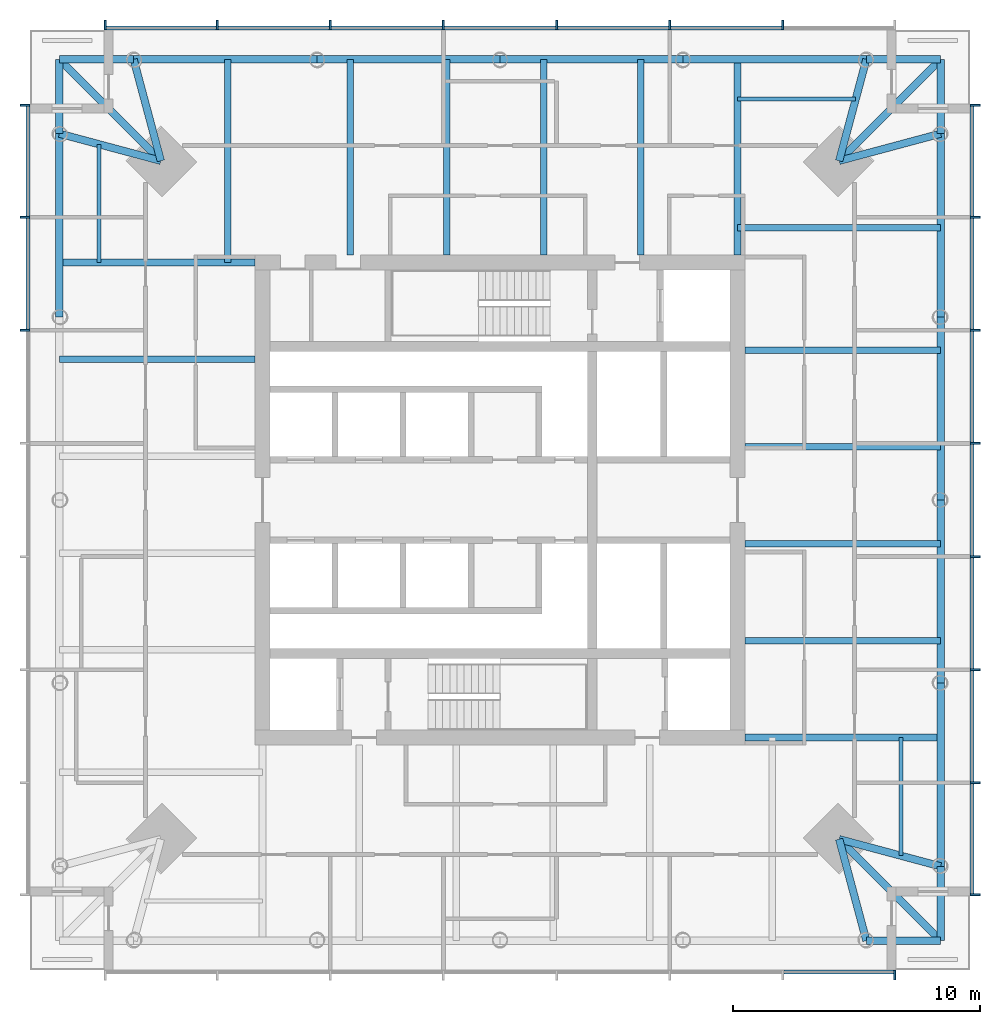
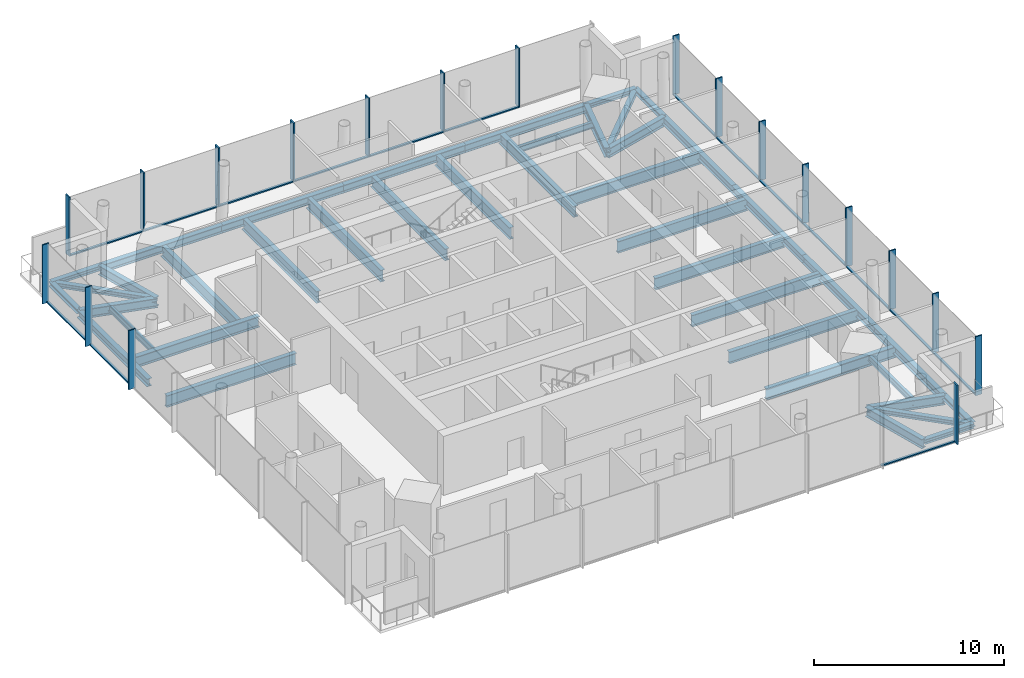
# One storey, part 2 of 7: 41 beams, 35 members, 4 elements without a shape of their own.
"""IFC4 building model written with IfcOpenShell, lengths in metres."""

from ifc_helpers import new_model, si_unit, direction, frame, origin, origin_2d, place, context, subcontext, project, spatial, rectangle, i_section, extrude, material, material_profile, profile_set, type_object, element, aggregate, save


model = new_model("IFC4")

# Units and contexts
model_context = context("Model", 3, precision=1e-05, world=origin(), true_north=direction((0.0, 1.0)))
body_context = subcontext(model_context, "Body", "Model", "MODEL_VIEW")
ifc_project = project(units=[si_unit("LENGTHUNIT", "METRE"), si_unit("AREAUNIT", "SQUARE_METRE"), si_unit("VOLUMEUNIT", "CUBIC_METRE"), si_unit("PLANEANGLEUNIT", "RADIAN"), si_unit("MASSUNIT", "GRAM", prefix="KILO")], contexts=[model_context])

# Site, building, storey
site_placement = place(None, origin())
site = spatial("IfcSite", under=ifc_project, at=site_placement, CompositionType="ELEMENT")
building_placement = place(site_placement, origin())
building = spatial("IfcBuilding", under=site, at=building_placement, Name="Ostroluk Exchange", CompositionType="ELEMENT")
storey_placement = place(building_placement, frame((0.0, 0.0, 214.800048828125)))
storey = spatial("IfcBuildingStorey", under=building, at=storey_placement, Name="L55", CompositionType="ELEMENT", Elevation=214.800048828125)

# Beams
ifc_material_1 = material(Name="Steel S355", Category="steel")
ifc_material_profile_1 = material_profile(ifc_material_1, i_section(OverallWidth=0.300048828125, OverallDepth=0.300048828125, WebThickness=0.010986328125, FlangeThickness=0.01904296875, FilletRadius=0.027099609375, at=origin_2d()), Name="HEB 300")
ifc_profile_set_1 = profile_set([ifc_material_profile_1], Name="Steel S355")
beam_type_1 = type_object("IfcBeamType", Name="Balcony beam HEB 300", PredefinedType="BEAM", material=ifc_profile_set_1)
for number, where, z_axis, x_axis, name in (
    (1, (62.80712890625, 60.80712890625, -0.330078125), (0.0, 1.0, 0.0), (-1.0, 0.0, 0.0), "T1 east balcony beam a"),
    (2, (59.80712890625, 63.80712890625, -0.330078125), (1.0, 0.0, 0.0), (0.0, 1.0, 0.0), "T1 east balcony beam b"),
):
    element("IfcBeam", number, at=place(storey_placement, frame(where, z_axis=z_axis, x_axis=x_axis)), inside=storey, type_object=beam_type_1, Name=name, PredefinedType="BEAM", context=body_context, shape_type="SweptSolid", body=[
        extrude(i_section(OverallWidth=0.300048828125, OverallDepth=0.300048828125, WebThickness=0.010986328125, FlangeThickness=0.01904296875, FilletRadius=0.027099609375, at=origin_2d()), origin(), (0.0, 0.0, 1.0), 3.0),
    ])
beam_1_placement = place(storey_placement, frame((58.70703125, 59.70703125, -0.330078125), z_axis=(0.707106781187, 0.707106781187, 0.0), x_axis=(-0.707106781187, 0.707106781187, 0.0)))
element("IfcBeam", 3, at=beam_1_placement, inside=storey, type_object=beam_type_1, Name="T1 east balcony beam c", PredefinedType="BEAM", context=body_context, shape_type="SweptSolid", body=[
    extrude(i_section(OverallWidth=0.300048828125, OverallDepth=0.300048828125, WebThickness=0.010986328125, FlangeThickness=0.01904296875, FilletRadius=0.027099609375, at=origin_2d()), origin(), (0.0, 0.0, 1.0), 5.79833984375),
])
for number, where, z_axis, x_axis, name in (
    (4, (30.19287109375, 63.80712890625, -0.330078125), (-1.0, 0.0, 0.0), (0.0, -1.0, 0.0), "T1 north balcony beam a"),
    (5, (27.19287109375, 60.80712890625, -0.330078125), (0.0, 1.0, 0.0), (-1.0, 0.0, 0.0), "T1 north balcony beam b"),
):
    element("IfcBeam", number, at=place(storey_placement, frame(where, z_axis=z_axis, x_axis=x_axis)), inside=storey, type_object=beam_type_1, Name=name, PredefinedType="BEAM", context=body_context, shape_type="SweptSolid", body=[
        extrude(i_section(OverallWidth=0.300048828125, OverallDepth=0.300048828125, WebThickness=0.010986328125, FlangeThickness=0.01904296875, FilletRadius=0.027099609375, at=origin_2d()), origin(), (0.0, 0.0, 1.0), 3.0),
    ])
beam_2_placement = place(storey_placement, frame((31.29296875, 59.70703125, -0.330078125), z_axis=(-0.707106781187, 0.707106781187, 0.0), x_axis=(-0.707106781187, -0.707106781187, 0.0)))
element("IfcBeam", 6, at=beam_2_placement, inside=storey, type_object=beam_type_1, Name="T1 north balcony beam c", PredefinedType="BEAM", context=body_context, shape_type="SweptSolid", body=[
    extrude(i_section(OverallWidth=0.300048828125, OverallDepth=0.300048828125, WebThickness=0.010986328125, FlangeThickness=0.01904296875, FilletRadius=0.027099609375, at=origin_2d()), origin(), (0.0, 0.0, 1.0), 5.79833984375),
])
for number, where, z_axis, x_axis, name in (
    (7, (59.80712890625, 28.19287109375, -0.330078125), (1.0, 0.0, 0.0), (0.0, 1.0, 0.0), "T1 south balcony beam a"),
    (8, (62.80712890625, 31.19287109375, -0.330078125), (0.0, -1.0, 0.0), (1.0, 0.0, 0.0), "T1 south balcony beam b"),
):
    element("IfcBeam", number, at=place(storey_placement, frame(where, z_axis=z_axis, x_axis=x_axis)), inside=storey, type_object=beam_type_1, Name=name, PredefinedType="BEAM", context=body_context, shape_type="SweptSolid", body=[
        extrude(i_section(OverallWidth=0.300048828125, OverallDepth=0.300048828125, WebThickness=0.010986328125, FlangeThickness=0.01904296875, FilletRadius=0.027099609375, at=origin_2d()), origin(), (0.0, 0.0, 1.0), 3.0),
    ])
beam_3_placement = place(storey_placement, frame((58.70703125, 32.29296875, -0.330078125), z_axis=(0.707106781187, -0.707106781187, 0.0), x_axis=(0.707106781187, 0.707106781187, 0.0)))
element("IfcBeam", 9, at=beam_3_placement, inside=storey, type_object=beam_type_1, Name="T1 south balcony beam c", PredefinedType="BEAM", context=body_context, shape_type="SweptSolid", body=[
    extrude(i_section(OverallWidth=0.300048828125, OverallDepth=0.300048828125, WebThickness=0.010986328125, FlangeThickness=0.01904296875, FilletRadius=0.027099609375, at=origin_2d()), origin(), (0.0, 0.0, 1.0), 5.79833984375),
])
ifc_material_2 = material(Name="Steel S355", Category="steel")
ifc_material_profile_2 = material_profile(ifc_material_2, i_section(OverallWidth=0.300048828125, OverallDepth=0.60009765625, WebThickness=0.015380859375, FlangeThickness=0.030029296875, FilletRadius=0.027099609375, at=origin_2d()), Name="HEB 600")
ifc_profile_set_2 = profile_set([ifc_material_profile_2], Name="Steel S355")
beam_type_2 = type_object("IfcBeamType", Name="Corner edge beam HEB 600", PredefinedType="SPANDREL", material=ifc_profile_set_2)
for number, where, z_axis, x_axis, name in (
    (10, (58.70703125, 59.70703125, -0.47998046875), (0.965838624319, 0.259144268261, 0.0), (-0.259144268261, 0.965838624319, 0.0), "T1 east corner edge beam a"),
    (11, (58.70703125, 59.70703125, -0.47998046875), (0.259144268261, 0.965838624319, 0.0), (-0.965838624319, 0.259144268261, 0.0), "T1 east corner edge beam b"),
    (12, (31.29296875, 59.70703125, -0.47998046875), (-0.259144268261, 0.965838624319, 0.0), (-0.965838624319, -0.259144268261, 0.0), "T1 north corner edge beam a"),
    (13, (31.29296875, 59.70703125, -0.47998046875), (-0.965838624319, 0.259144268261, 0.0), (-0.259144268261, -0.965838624319, 0.0), "T1 north corner edge beam b"),
    (14, (58.70703125, 32.29296875, -0.47998046875), (0.259144268261, -0.965838624319, 0.0), (0.965838624319, 0.259144268261, 0.0), "T1 south corner edge beam a"),
    (15, (58.70703125, 32.29296875, -0.47998046875), (0.965838624319, -0.259144268261, 0.0), (0.259144268261, 0.965838624319, 0.0), "T1 south corner edge beam b"),
):
    element("IfcBeam", number, at=place(storey_placement, frame(where, z_axis=z_axis, x_axis=x_axis)), inside=storey, type_object=beam_type_2, Name=name, PredefinedType="SPANDREL", context=body_context, shape_type="SweptSolid", body=[
        extrude(i_section(OverallWidth=0.300048828125, OverallDepth=0.60009765625, WebThickness=0.015380859375, FlangeThickness=0.030029296875, FilletRadius=0.027099609375, at=origin_2d()), origin(), (0.0, 0.0, 1.0), 4.2451171875),
    ])
ifc_material_3 = material(Name="Steel S355", Category="steel")
ifc_material_profile_3 = material_profile(ifc_material_3, i_section(OverallWidth=0.179931640625, OverallDepth=0.39990234375, WebThickness=0.008544921875, FlangeThickness=0.013427734375, FilletRadius=0.02099609375, at=origin_2d()), Name="IPE 400")
ifc_profile_set_3 = profile_set([ifc_material_profile_3], Name="Steel S355")
beam_type_3 = type_object("IfcBeamType", Name="Floor beam IPE 400", PredefinedType="BEAM", material=ifc_profile_set_3)
for number, where, z_axis, x_axis, name in (
    (16, (54.60009765625, 62.20703125, -0.380126953125), (1.0, 0.0, 0.0), (0.0, 1.0, 0.0), "T1 east floor beam 6"),
    (17, (28.79296875, 55.60009765625, -0.380126953125), (0.0, 1.0, 0.0), (-1.0, 0.0, 0.0), "T1 north floor beam 6"),
    (18, (61.20703125, 36.39990234375, -0.380126953125), (0.0, -1.0, 0.0), (1.0, 0.0, 0.0), "T1 south floor beam 6"),
):
    element("IfcBeam", number, at=place(storey_placement, frame(where, z_axis=z_axis, x_axis=x_axis)), inside=storey, type_object=beam_type_3, Name=name, PredefinedType="BEAM", context=body_context, shape_type="SweptSolid", body=[
        extrude(i_section(OverallWidth=0.179931640625, OverallDepth=0.39990234375, WebThickness=0.008544921875, FlangeThickness=0.013427734375, FilletRadius=0.02099609375, at=origin_2d()), origin(), (0.0, 0.0, 1.0), 4.77783203125),
    ])
ifc_material_4 = material(Name="Steel S355", Category="steel")
ifc_material_profile_4 = material_profile(ifc_material_4, i_section(OverallWidth=0.264892578125, OverallDepth=0.7529296875, WebThickness=0.01318359375, FlangeThickness=0.01708984375, FilletRadius=0.01708984375, at=origin_2d()), Name="IPE 750x147")
ifc_profile_set_4 = profile_set([ifc_material_profile_4], Name="Steel S355")
beam_type_4 = type_object("IfcBeamType", Name="Floor beam IPE 750x147", PredefinedType="BEAM", material=ifc_profile_set_4)
for number, where, z_axis, x_axis, name in (
    (19, (54.89990234375, 40.315185546875, -0.556640625), (1.0, 0.0, 0.0), (0.0, 1.0, 0.0), "T1 east floor beam 1"),
    (20, (54.89990234375, 44.230712890625, -0.556640625), (1.0, 0.0, 0.0), (0.0, 1.0, 0.0), "T1 east floor beam 2"),
    (21, (54.89990234375, 48.14599609375, -0.556640625), (1.0, 0.0, 0.0), (0.0, 1.0, 0.0), "T1 east floor beam 3"),
    (22, (54.89990234375, 52.061279296875, -0.556640625), (1.0, 0.0, 0.0), (0.0, 1.0, 0.0), "T1 east floor beam 4"),
):
    element("IfcBeam", number, at=place(storey_placement, frame(where, z_axis=z_axis, x_axis=x_axis)), inside=storey, type_object=beam_type_4, Name=name, PredefinedType="BEAM", context=body_context, shape_type="SweptSolid", body=[
        extrude(i_section(OverallWidth=0.264892578125, OverallDepth=0.7529296875, WebThickness=0.01318359375, FlangeThickness=0.01708984375, FilletRadius=0.01708984375, at=origin_2d()), origin(), (0.0, 0.0, 1.0), 7.9072265625),
    ])
beam_4_placement = place(storey_placement, frame((54.60009765625, 57.0, -0.556640625), z_axis=(1.0, 0.0, 0.0), x_axis=(0.0, 1.0, 0.0)))
element("IfcBeam", 23, at=beam_4_placement, inside=storey, type_object=beam_type_4, Name="T1 east floor beam 5", PredefinedType="BEAM", context=body_context, shape_type="SweptSolid", body=[
    extrude(i_section(OverallWidth=0.264892578125, OverallDepth=0.7529296875, WebThickness=0.01318359375, FlangeThickness=0.01708984375, FilletRadius=0.01708984375, at=origin_2d()), origin(), (0.0, 0.0, 1.0), 8.20703125),
])
for number, where, z_axis, x_axis, name in (
    (24, (50.684814453125, 55.89990234375, -0.556640625), (0.0, 1.0, 0.0), (-1.0, 0.0, 0.0), "T1 north floor beam 1"),
    (25, (46.769287109375, 55.89990234375, -0.556640625), (0.0, 1.0, 0.0), (-1.0, 0.0, 0.0), "T1 north floor beam 2"),
    (26, (42.85400390625, 55.89990234375, -0.556640625), (0.0, 1.0, 0.0), (-1.0, 0.0, 0.0), "T1 north floor beam 3"),
    (27, (38.938720703125, 55.89990234375, -0.556640625), (0.0, 1.0, 0.0), (-1.0, 0.0, 0.0), "T1 north floor beam 4"),
):
    element("IfcBeam", number, at=place(storey_placement, frame(where, z_axis=z_axis, x_axis=x_axis)), inside=storey, type_object=beam_type_4, Name=name, PredefinedType="BEAM", context=body_context, shape_type="SweptSolid", body=[
        extrude(i_section(OverallWidth=0.264892578125, OverallDepth=0.7529296875, WebThickness=0.01318359375, FlangeThickness=0.01708984375, FilletRadius=0.01708984375, at=origin_2d()), origin(), (0.0, 0.0, 1.0), 7.9072265625),
    ])
beam_5_placement = place(storey_placement, frame((34.0, 55.60009765625, -0.556640625), z_axis=(0.0, 1.0, 0.0), x_axis=(-1.0, 0.0, 0.0)))
element("IfcBeam", 28, at=beam_5_placement, inside=storey, type_object=beam_type_4, Name="T1 north floor beam 5", PredefinedType="BEAM", context=body_context, shape_type="SweptSolid", body=[
    extrude(i_section(OverallWidth=0.264892578125, OverallDepth=0.7529296875, WebThickness=0.01318359375, FlangeThickness=0.01708984375, FilletRadius=0.01708984375, at=origin_2d()), origin(), (0.0, 0.0, 1.0), 8.20703125),
])
beam_6_placement = place(storey_placement, frame((35.10009765625, 51.684814453125, -0.556640625), z_axis=(-1.0, 0.0, 0.0), x_axis=(0.0, -1.0, 0.0)))
element("IfcBeam", 29, at=beam_6_placement, inside=storey, type_object=beam_type_4, Name="T1 west floor beam 1", PredefinedType="BEAM", context=body_context, shape_type="SweptSolid", body=[
    extrude(i_section(OverallWidth=0.264892578125, OverallDepth=0.7529296875, WebThickness=0.01318359375, FlangeThickness=0.01708984375, FilletRadius=0.01708984375, at=origin_2d()), origin(), (0.0, 0.0, 1.0), 7.9072265625),
])
ifc_material_5 = material(Name="Steel S355", Category="steel")
ifc_material_profile_5 = material_profile(ifc_material_5, i_section(OverallWidth=0.300048828125, OverallDepth=0.699951171875, WebThickness=0.01708984375, FlangeThickness=0.031982421875, FilletRadius=0.027099609375, at=origin_2d()), Name="HEB 700")
ifc_profile_set_5 = profile_set([ifc_material_profile_5], Name="Steel S355")
beam_type_5 = type_object("IfcBeamType", Name="Girder HEB 700", PredefinedType="BEAM", material=ifc_profile_set_5)
for number, where, z_axis, x_axis, name in (
    (30, (54.60009765625, 55.89990234375, -0.530029296875), (0.0, 1.0, 0.0), (-1.0, 0.0, 0.0), "T1 east girder"),
    (31, (35.10009765625, 55.60009765625, -0.530029296875), (-1.0, 0.0, 0.0), (0.0, -1.0, 0.0), "T1 north girder"),
    (32, (54.89990234375, 36.39990234375, -0.530029296875), (1.0, 0.0, 0.0), (0.0, 1.0, 0.0), "T1 south girder"),
):
    element("IfcBeam", number, at=place(storey_placement, frame(where, z_axis=z_axis, x_axis=x_axis)), inside=storey, type_object=beam_type_5, Name=name, PredefinedType="BEAM", context=body_context, shape_type="SweptSolid", body=[
        extrude(i_section(OverallWidth=0.300048828125, OverallDepth=0.699951171875, WebThickness=0.01708984375, FlangeThickness=0.031982421875, FilletRadius=0.027099609375, at=origin_2d()), origin(), (0.0, 0.0, 1.0), 7.9072265625),
    ])
ifc_material_6 = material(Name="Steel S355", Category="steel")
ifc_material_profile_6 = material_profile(ifc_material_6, i_section(OverallWidth=0.300048828125, OverallDepth=0.5, WebThickness=0.014404296875, FlangeThickness=0.028076171875, FilletRadius=0.027099609375, at=origin_2d()), Name="HEB 500")
ifc_profile_set_6 = profile_set([ifc_material_profile_6], Name="Steel S355")
beam_type_6 = type_object("IfcBeamType", Name="Moment-connected edge beam HEB 500", PredefinedType="SPANDREL", material=ifc_profile_set_6)
for number, where, z_axis, x_axis, name in (
    (33, (62.80712890625, 31.19287109375, -0.429931640625), (0.0, 1.0, 0.0), (-1.0, 0.0, 0.0), "T1 east edge beam 1"),
    (34, (62.80712890625, 38.596435546875, -0.429931640625), (0.0, 1.0, 0.0), (-1.0, 0.0, 0.0), "T1 east edge beam 2"),
    (35, (62.80712890625, 46.0, -0.429931640625), (0.0, 1.0, 0.0), (-1.0, 0.0, 0.0), "T1 east edge beam 3"),
    (36, (62.80712890625, 53.403564453125, -0.429931640625), (0.0, 1.0, 0.0), (-1.0, 0.0, 0.0), "T1 east edge beam 4"),
    (37, (59.80712890625, 63.80712890625, -0.429931640625), (-1.0, 0.0, 0.0), (0.0, -1.0, 0.0), "T1 north edge beam 1"),
    (38, (52.403564453125, 63.80712890625, -0.429931640625), (-1.0, 0.0, 0.0), (0.0, -1.0, 0.0), "T1 north edge beam 2"),
    (39, (45.0, 63.80712890625, -0.429931640625), (-1.0, 0.0, 0.0), (0.0, -1.0, 0.0), "T1 north edge beam 3"),
    (40, (37.596435546875, 63.80712890625, -0.429931640625), (-1.0, 0.0, 0.0), (0.0, -1.0, 0.0), "T1 north edge beam 4"),
    (41, (27.19287109375, 60.80712890625, -0.429931640625), (0.0, -1.0, 0.0), (1.0, 0.0, 0.0), "T1 west edge beam 1"),
):
    element("IfcBeam", number, at=place(storey_placement, frame(where, z_axis=z_axis, x_axis=x_axis)), inside=storey, type_object=beam_type_6, Name=name, PredefinedType="SPANDREL", context=body_context, shape_type="SweptSolid", body=[
        extrude(i_section(OverallWidth=0.300048828125, OverallDepth=0.5, WebThickness=0.014404296875, FlangeThickness=0.028076171875, FilletRadius=0.027099609375, at=origin_2d()), origin(), (0.0, 0.0, 1.0), 7.403564453125),
    ])

# Curtain wall, member
ifc_material_7 = material(Name="Laminated clear glass", Category="glass")
curtain_wall_type = type_object("IfcCurtainWallType", Name="Office tower facade", PredefinedType="USERDEFINED", material=ifc_material_7)
curtain_wall_1_placement = place(storey_placement, origin())
curtain_wall_1 = element("IfcCurtainWall", 42, at=curtain_wall_1_placement, inside=storey, type_object=curtain_wall_type, Name="Office tower south facade L55", ObjectType="UNITISED CURTAIN WALL", PredefinedType="USERDEFINED")
ifc_material_8 = material(Name="Aluminium mullion", Category="aluminium")
ifc_material_profile_7 = material_profile(ifc_material_8, rectangle(XDim=0.14990234375, YDim=0.080078125, at=origin_2d()), Name="Sill transom 80 x 150")
ifc_profile_set_7 = profile_set([ifc_material_profile_7], Name="Aluminium mullion")
member_type_1 = type_object("IfcMemberType", Name="Sill transom 80 x 150", PredefinedType="USERDEFINED", material=ifc_profile_set_7)
member_1_placement = place(storey_placement, frame((56.468505859375, 26.925048828125, 0.0400390625), z_axis=(1.0, 0.0, 0.0), x_axis=(0.0, 1.0, 0.0)))
member_1 = element("IfcMember", 43, at=member_1_placement, type_object=member_type_1, Name="CW-O1 transom 7.1", ObjectType="TRANSOM", PredefinedType="USERDEFINED", context=body_context, shape_type="SweptSolid", body=[
    extrude(rectangle(XDim=0.14990234375, YDim=0.080078125, at=origin_2d()), origin(), (0.0, 0.0, 1.0), 4.451416015625),
])

# Curtain wall, members
curtain_wall_2_placement = place(storey_placement, origin())
curtain_wall_2 = element("IfcCurtainWall", 44, at=curtain_wall_2_placement, inside=storey, type_object=curtain_wall_type, Name="Office tower east facade L55", ObjectType="UNITISED CURTAIN WALL", PredefinedType="USERDEFINED")
member_2_placement = place(storey_placement, frame((64.074951171875, 30.080078125, 0.0400390625), z_axis=(0.0, 1.0, 0.0), x_axis=(-1.0, 0.0, 0.0)))
member_2 = element("IfcMember", 45, at=member_2_placement, type_object=member_type_1, Name="CW-O1 transom 1.1", ObjectType="TRANSOM", PredefinedType="USERDEFINED", context=body_context, shape_type="SweptSolid", body=[
    extrude(rectangle(XDim=0.14990234375, YDim=0.080078125, at=origin_2d()), origin(), (0.0, 0.0, 1.0), 4.451416015625),
])
member_3_placement = place(storey_placement, frame((64.074951171875, 34.611328125, 0.0400390625), z_axis=(0.0, 1.0, 0.0), x_axis=(-1.0, 0.0, 0.0)))
member_3 = element("IfcMember", 46, at=member_3_placement, type_object=member_type_1, Name="CW-O1 transom 2.1", ObjectType="TRANSOM", PredefinedType="USERDEFINED", context=body_context, shape_type="SweptSolid", body=[
    extrude(rectangle(XDim=0.14990234375, YDim=0.080078125, at=origin_2d()), origin(), (0.0, 0.0, 1.0), 4.491455078125),
])
member_4_placement = place(storey_placement, frame((64.074951171875, 39.182861328125, 0.0400390625), z_axis=(0.0, 1.0, 0.0), x_axis=(-1.0, 0.0, 0.0)))
member_4 = element("IfcMember", 47, at=member_4_placement, type_object=member_type_1, Name="CW-O1 transom 3.1", ObjectType="TRANSOM", PredefinedType="USERDEFINED", context=body_context, shape_type="SweptSolid", body=[
    extrude(rectangle(XDim=0.14990234375, YDim=0.080078125, at=origin_2d()), origin(), (0.0, 0.0, 1.0), 4.491455078125),
])
member_5_placement = place(storey_placement, frame((64.074951171875, 43.75439453125, 0.0400390625), z_axis=(0.0, 1.0, 0.0), x_axis=(-1.0, 0.0, 0.0)))
member_5 = element("IfcMember", 48, at=member_5_placement, type_object=member_type_1, Name="CW-O1 transom 4.1", ObjectType="TRANSOM", PredefinedType="USERDEFINED", context=body_context, shape_type="SweptSolid", body=[
    extrude(rectangle(XDim=0.14990234375, YDim=0.080078125, at=origin_2d()), origin(), (0.0, 0.0, 1.0), 4.4912109375),
])
member_6_placement = place(storey_placement, frame((64.074951171875, 48.32568359375, 0.0400390625), z_axis=(0.0, 1.0, 0.0), x_axis=(-1.0, 0.0, 0.0)))
member_6 = element("IfcMember", 49, at=member_6_placement, type_object=member_type_1, Name="CW-O1 transom 5.1", ObjectType="TRANSOM", PredefinedType="USERDEFINED", context=body_context, shape_type="SweptSolid", body=[
    extrude(rectangle(XDim=0.14990234375, YDim=0.080078125, at=origin_2d()), origin(), (0.0, 0.0, 1.0), 4.491455078125),
])
member_7_placement = place(storey_placement, frame((64.074951171875, 52.897216796875, 0.0400390625), z_axis=(0.0, 1.0, 0.0), x_axis=(-1.0, 0.0, 0.0)))
member_7 = element("IfcMember", 50, at=member_7_placement, type_object=member_type_1, Name="CW-O1 transom 6.1", ObjectType="TRANSOM", PredefinedType="USERDEFINED", context=body_context, shape_type="SweptSolid", body=[
    extrude(rectangle(XDim=0.14990234375, YDim=0.080078125, at=origin_2d()), origin(), (0.0, 0.0, 1.0), 4.491455078125),
])
member_8_placement = place(storey_placement, frame((64.074951171875, 57.468505859375, 0.0400390625), z_axis=(0.0, 1.0, 0.0), x_axis=(-1.0, 0.0, 0.0)))
member_8 = element("IfcMember", 51, at=member_8_placement, type_object=member_type_1, Name="CW-O1 transom 7.1", ObjectType="TRANSOM", PredefinedType="USERDEFINED", context=body_context, shape_type="SweptSolid", body=[
    extrude(rectangle(XDim=0.14990234375, YDim=0.080078125, at=origin_2d()), origin(), (0.0, 0.0, 1.0), 4.451416015625),
])

curtain_wall_3_placement = place(storey_placement, origin())
curtain_wall_3 = element("IfcCurtainWall", 52, at=curtain_wall_3_placement, inside=storey, type_object=curtain_wall_type, Name="Office tower north facade L55", ObjectType="UNITISED CURTAIN WALL", PredefinedType="USERDEFINED")
member_9_placement = place(storey_placement, frame((56.388671875, 65.074951171875, 0.0400390625), z_axis=(-1.0, 0.0, 0.0), x_axis=(0.0, -1.0, 0.0)))
member_9 = element("IfcMember", 53, at=member_9_placement, type_object=member_type_1, Name="CW-O1 transom 2.1", ObjectType="TRANSOM", PredefinedType="USERDEFINED", context=body_context, shape_type="SweptSolid", body=[
    extrude(rectangle(XDim=0.14990234375, YDim=0.080078125, at=origin_2d()), origin(), (0.0, 0.0, 1.0), 4.491455078125),
])
member_10_placement = place(storey_placement, frame((51.817138671875, 65.074951171875, 0.0400390625), z_axis=(-1.0, 0.0, 0.0), x_axis=(0.0, -1.0, 0.0)))
member_10 = element("IfcMember", 54, at=member_10_placement, type_object=member_type_1, Name="CW-O1 transom 3.1", ObjectType="TRANSOM", PredefinedType="USERDEFINED", context=body_context, shape_type="SweptSolid", body=[
    extrude(rectangle(XDim=0.14990234375, YDim=0.080078125, at=origin_2d()), origin(), (0.0, 0.0, 1.0), 4.491455078125),
])
member_11_placement = place(storey_placement, frame((47.24560546875, 65.074951171875, 0.0400390625), z_axis=(-1.0, 0.0, 0.0), x_axis=(0.0, -1.0, 0.0)))
member_11 = element("IfcMember", 55, at=member_11_placement, type_object=member_type_1, Name="CW-O1 transom 4.1", ObjectType="TRANSOM", PredefinedType="USERDEFINED", context=body_context, shape_type="SweptSolid", body=[
    extrude(rectangle(XDim=0.14990234375, YDim=0.080078125, at=origin_2d()), origin(), (0.0, 0.0, 1.0), 4.4912109375),
])
member_12_placement = place(storey_placement, frame((42.67431640625, 65.074951171875, 0.0400390625), z_axis=(-1.0, 0.0, 0.0), x_axis=(0.0, -1.0, 0.0)))
member_12 = element("IfcMember", 56, at=member_12_placement, type_object=member_type_1, Name="CW-O1 transom 5.1", ObjectType="TRANSOM", PredefinedType="USERDEFINED", context=body_context, shape_type="SweptSolid", body=[
    extrude(rectangle(XDim=0.14990234375, YDim=0.080078125, at=origin_2d()), origin(), (0.0, 0.0, 1.0), 4.491455078125),
])
member_13_placement = place(storey_placement, frame((38.102783203125, 65.074951171875, 0.0400390625), z_axis=(-1.0, 0.0, 0.0), x_axis=(0.0, -1.0, 0.0)))
member_13 = element("IfcMember", 57, at=member_13_placement, type_object=member_type_1, Name="CW-O1 transom 6.1", ObjectType="TRANSOM", PredefinedType="USERDEFINED", context=body_context, shape_type="SweptSolid", body=[
    extrude(rectangle(XDim=0.14990234375, YDim=0.080078125, at=origin_2d()), origin(), (0.0, 0.0, 1.0), 4.491455078125),
])
member_14_placement = place(storey_placement, frame((33.531494140625, 65.074951171875, 0.0400390625), z_axis=(-1.0, 0.0, 0.0), x_axis=(0.0, -1.0, 0.0)))
member_14 = element("IfcMember", 58, at=member_14_placement, type_object=member_type_1, Name="CW-O1 transom 7.1", ObjectType="TRANSOM", PredefinedType="USERDEFINED", context=body_context, shape_type="SweptSolid", body=[
    extrude(rectangle(XDim=0.14990234375, YDim=0.080078125, at=origin_2d()), origin(), (0.0, 0.0, 1.0), 4.451416015625),
])

curtain_wall_4_placement = place(storey_placement, origin())
curtain_wall_4 = element("IfcCurtainWall", 59, at=curtain_wall_4_placement, inside=storey, type_object=curtain_wall_type, Name="Office tower west facade L55", ObjectType="UNITISED CURTAIN WALL", PredefinedType="USERDEFINED")
member_15_placement = place(storey_placement, frame((25.925048828125, 61.919921875, 0.0400390625), z_axis=(0.0, -1.0, 0.0), x_axis=(1.0, 0.0, 0.0)))
member_15 = element("IfcMember", 60, at=member_15_placement, type_object=member_type_1, Name="CW-O1 transom 1.1", ObjectType="TRANSOM", PredefinedType="USERDEFINED", context=body_context, shape_type="SweptSolid", body=[
    extrude(rectangle(XDim=0.14990234375, YDim=0.080078125, at=origin_2d()), origin(), (0.0, 0.0, 1.0), 4.451416015625),
])
member_16_placement = place(storey_placement, frame((25.925048828125, 57.388671875, 0.0400390625), z_axis=(0.0, -1.0, 0.0), x_axis=(1.0, 0.0, 0.0)))
member_16 = element("IfcMember", 61, at=member_16_placement, type_object=member_type_1, Name="CW-O1 transom 2.1", ObjectType="TRANSOM", PredefinedType="USERDEFINED", context=body_context, shape_type="SweptSolid", body=[
    extrude(rectangle(XDim=0.14990234375, YDim=0.080078125, at=origin_2d()), origin(), (0.0, 0.0, 1.0), 4.491455078125),
])

# Member
ifc_material_9 = material(Name="Aluminium mullion with limestone facing", Category="masonry")
ifc_material_profile_8 = material_profile(ifc_material_9, rectangle(XDim=0.39990234375, YDim=0.080078125, at=origin_2d()), Name="Tracery mullion 80 x 400")
ifc_profile_set_8 = profile_set([ifc_material_profile_8], Name="Aluminium mullion with limestone facing")
member_type_2 = type_object("IfcMemberType", Name="Tracery mullion 80 x 400", PredefinedType="MULLION", material=ifc_profile_set_8)
member_17_placement = place(storey_placement, frame((60.9599609375, 26.800048828125, 0.0), z_axis=(0.0, 0.0, 1.0), x_axis=(0.0, 1.0, 0.0)))
member_17 = element("IfcMember", 62, at=member_17_placement, type_object=member_type_2, Name="CW-O1 mullion 8", PredefinedType="MULLION", context=body_context, shape_type="SweptSolid", body=[
    extrude(rectangle(XDim=0.39990234375, YDim=0.080078125, at=origin_2d()), origin(), (0.0, 0.0, 1.0), 3.800048828125),
])

aggregate(curtain_wall_1, [member_17, member_1])

member_18_placement = place(storey_placement, frame((64.199951171875, 30.0400390625, 0.0), z_axis=(0.0, 0.0, 1.0), x_axis=(-1.0, 0.0, 0.0)))
member_18 = element("IfcMember", 63, at=member_18_placement, type_object=member_type_2, Name="CW-O1 mullion 1", PredefinedType="MULLION", context=body_context, shape_type="SweptSolid", body=[
    extrude(rectangle(XDim=0.39990234375, YDim=0.080078125, at=origin_2d()), origin(), (0.0, 0.0, 1.0), 3.800048828125),
])

member_19_placement = place(storey_placement, frame((64.199951171875, 34.571533203125, 0.0), z_axis=(0.0, 0.0, 1.0), x_axis=(-1.0, 0.0, 0.0)))
member_19 = element("IfcMember", 64, at=member_19_placement, type_object=member_type_2, Name="CW-O1 mullion 2", PredefinedType="MULLION", context=body_context, shape_type="SweptSolid", body=[
    extrude(rectangle(XDim=0.39990234375, YDim=0.080078125, at=origin_2d()), origin(), (0.0, 0.0, 1.0), 3.800048828125),
])

member_20_placement = place(storey_placement, frame((64.199951171875, 39.142822265625, 0.0), z_axis=(0.0, 0.0, 1.0), x_axis=(-1.0, 0.0, 0.0)))
member_20 = element("IfcMember", 65, at=member_20_placement, type_object=member_type_2, Name="CW-O1 mullion 3", PredefinedType="MULLION", context=body_context, shape_type="SweptSolid", body=[
    extrude(rectangle(XDim=0.39990234375, YDim=0.080078125, at=origin_2d()), origin(), (0.0, 0.0, 1.0), 3.800048828125),
])

member_21_placement = place(storey_placement, frame((64.199951171875, 43.71435546875, 0.0), z_axis=(0.0, 0.0, 1.0), x_axis=(-1.0, 0.0, 0.0)))
member_21 = element("IfcMember", 66, at=member_21_placement, type_object=member_type_2, Name="CW-O1 mullion 4", PredefinedType="MULLION", context=body_context, shape_type="SweptSolid", body=[
    extrude(rectangle(XDim=0.39990234375, YDim=0.080078125, at=origin_2d()), origin(), (0.0, 0.0, 1.0), 3.800048828125),
])

member_22_placement = place(storey_placement, frame((64.199951171875, 48.28564453125, 0.0), z_axis=(0.0, 0.0, 1.0), x_axis=(-1.0, 0.0, 0.0)))
member_22 = element("IfcMember", 67, at=member_22_placement, type_object=member_type_2, Name="CW-O1 mullion 5", PredefinedType="MULLION", context=body_context, shape_type="SweptSolid", body=[
    extrude(rectangle(XDim=0.39990234375, YDim=0.080078125, at=origin_2d()), origin(), (0.0, 0.0, 1.0), 3.800048828125),
])

member_23_placement = place(storey_placement, frame((64.199951171875, 52.857177734375, 0.0), z_axis=(0.0, 0.0, 1.0), x_axis=(-1.0, 0.0, 0.0)))
member_23 = element("IfcMember", 68, at=member_23_placement, type_object=member_type_2, Name="CW-O1 mullion 6", PredefinedType="MULLION", context=body_context, shape_type="SweptSolid", body=[
    extrude(rectangle(XDim=0.39990234375, YDim=0.080078125, at=origin_2d()), origin(), (0.0, 0.0, 1.0), 3.800048828125),
])

member_24_placement = place(storey_placement, frame((64.199951171875, 57.428466796875, 0.0), z_axis=(0.0, 0.0, 1.0), x_axis=(-1.0, 0.0, 0.0)))
member_24 = element("IfcMember", 69, at=member_24_placement, type_object=member_type_2, Name="CW-O1 mullion 7", PredefinedType="MULLION", context=body_context, shape_type="SweptSolid", body=[
    extrude(rectangle(XDim=0.39990234375, YDim=0.080078125, at=origin_2d()), origin(), (0.0, 0.0, 1.0), 3.800048828125),
])

member_25_placement = place(storey_placement, frame((64.199951171875, 61.9599609375, 0.0), z_axis=(0.0, 0.0, 1.0), x_axis=(-1.0, 0.0, 0.0)))
member_25 = element("IfcMember", 70, at=member_25_placement, type_object=member_type_2, Name="CW-O1 mullion 8", PredefinedType="MULLION", context=body_context, shape_type="SweptSolid", body=[
    extrude(rectangle(XDim=0.39990234375, YDim=0.080078125, at=origin_2d()), origin(), (0.0, 0.0, 1.0), 3.800048828125),
])

aggregate(curtain_wall_2, [member_18, member_19, member_20, member_21, member_22, member_23, member_24, member_25, member_2, member_3, member_4, member_5, member_6, member_7, member_8])

member_26_placement = place(storey_placement, frame((56.428466796875, 65.199951171875, 0.0), z_axis=(0.0, 0.0, 1.0), x_axis=(0.0, -1.0, 0.0)))
member_26 = element("IfcMember", 71, at=member_26_placement, type_object=member_type_2, Name="CW-O1 mullion 2", PredefinedType="MULLION", context=body_context, shape_type="SweptSolid", body=[
    extrude(rectangle(XDim=0.39990234375, YDim=0.080078125, at=origin_2d()), origin(), (0.0, 0.0, 1.0), 3.800048828125),
])

member_27_placement = place(storey_placement, frame((51.857177734375, 65.199951171875, 0.0), z_axis=(0.0, 0.0, 1.0), x_axis=(0.0, -1.0, 0.0)))
member_27 = element("IfcMember", 72, at=member_27_placement, type_object=member_type_2, Name="CW-O1 mullion 3", PredefinedType="MULLION", context=body_context, shape_type="SweptSolid", body=[
    extrude(rectangle(XDim=0.39990234375, YDim=0.080078125, at=origin_2d()), origin(), (0.0, 0.0, 1.0), 3.800048828125),
])

member_28_placement = place(storey_placement, frame((47.28564453125, 65.199951171875, 0.0), z_axis=(0.0, 0.0, 1.0), x_axis=(0.0, -1.0, 0.0)))
member_28 = element("IfcMember", 73, at=member_28_placement, type_object=member_type_2, Name="CW-O1 mullion 4", PredefinedType="MULLION", context=body_context, shape_type="SweptSolid", body=[
    extrude(rectangle(XDim=0.39990234375, YDim=0.080078125, at=origin_2d()), origin(), (0.0, 0.0, 1.0), 3.800048828125),
])

member_29_placement = place(storey_placement, frame((42.71435546875, 65.199951171875, 0.0), z_axis=(0.0, 0.0, 1.0), x_axis=(0.0, -1.0, 0.0)))
member_29 = element("IfcMember", 74, at=member_29_placement, type_object=member_type_2, Name="CW-O1 mullion 5", PredefinedType="MULLION", context=body_context, shape_type="SweptSolid", body=[
    extrude(rectangle(XDim=0.39990234375, YDim=0.080078125, at=origin_2d()), origin(), (0.0, 0.0, 1.0), 3.800048828125),
])

member_30_placement = place(storey_placement, frame((38.142822265625, 65.199951171875, 0.0), z_axis=(0.0, 0.0, 1.0), x_axis=(0.0, -1.0, 0.0)))
member_30 = element("IfcMember", 75, at=member_30_placement, type_object=member_type_2, Name="CW-O1 mullion 6", PredefinedType="MULLION", context=body_context, shape_type="SweptSolid", body=[
    extrude(rectangle(XDim=0.39990234375, YDim=0.080078125, at=origin_2d()), origin(), (0.0, 0.0, 1.0), 3.800048828125),
])

member_31_placement = place(storey_placement, frame((33.571533203125, 65.199951171875, 0.0), z_axis=(0.0, 0.0, 1.0), x_axis=(0.0, -1.0, 0.0)))
member_31 = element("IfcMember", 76, at=member_31_placement, type_object=member_type_2, Name="CW-O1 mullion 7", PredefinedType="MULLION", context=body_context, shape_type="SweptSolid", body=[
    extrude(rectangle(XDim=0.39990234375, YDim=0.080078125, at=origin_2d()), origin(), (0.0, 0.0, 1.0), 3.800048828125),
])

member_32_placement = place(storey_placement, frame((29.0400390625, 65.199951171875, 0.0), z_axis=(0.0, 0.0, 1.0), x_axis=(0.0, -1.0, 0.0)))
member_32 = element("IfcMember", 77, at=member_32_placement, type_object=member_type_2, Name="CW-O1 mullion 8", PredefinedType="MULLION", context=body_context, shape_type="SweptSolid", body=[
    extrude(rectangle(XDim=0.39990234375, YDim=0.080078125, at=origin_2d()), origin(), (0.0, 0.0, 1.0), 3.800048828125),
])

aggregate(curtain_wall_3, [member_26, member_27, member_28, member_29, member_30, member_31, member_32, member_9, member_10, member_11, member_12, member_13, member_14])

member_33_placement = place(storey_placement, frame((25.800048828125, 61.9599609375, 0.0), z_axis=(0.0, 0.0, 1.0), x_axis=(1.0, 0.0, 0.0)))
member_33 = element("IfcMember", 78, at=member_33_placement, type_object=member_type_2, Name="CW-O1 mullion 1", PredefinedType="MULLION", context=body_context, shape_type="SweptSolid", body=[
    extrude(rectangle(XDim=0.39990234375, YDim=0.080078125, at=origin_2d()), origin(), (0.0, 0.0, 1.0), 3.800048828125),
])

member_34_placement = place(storey_placement, frame((25.800048828125, 57.428466796875, 0.0), z_axis=(0.0, 0.0, 1.0), x_axis=(1.0, 0.0, 0.0)))
member_34 = element("IfcMember", 79, at=member_34_placement, type_object=member_type_2, Name="CW-O1 mullion 2", PredefinedType="MULLION", context=body_context, shape_type="SweptSolid", body=[
    extrude(rectangle(XDim=0.39990234375, YDim=0.080078125, at=origin_2d()), origin(), (0.0, 0.0, 1.0), 3.800048828125),
])

member_35_placement = place(storey_placement, frame((25.800048828125, 52.857177734375, 0.0), z_axis=(0.0, 0.0, 1.0), x_axis=(1.0, 0.0, 0.0)))
member_35 = element("IfcMember", 80, at=member_35_placement, type_object=member_type_2, Name="CW-O1 mullion 3", PredefinedType="MULLION", context=body_context, shape_type="SweptSolid", body=[
    extrude(rectangle(XDim=0.39990234375, YDim=0.080078125, at=origin_2d()), origin(), (0.0, 0.0, 1.0), 3.800048828125),
])

aggregate(curtain_wall_4, [member_33, member_34, member_35, member_15, member_16])

save(model, "model.ifc")
